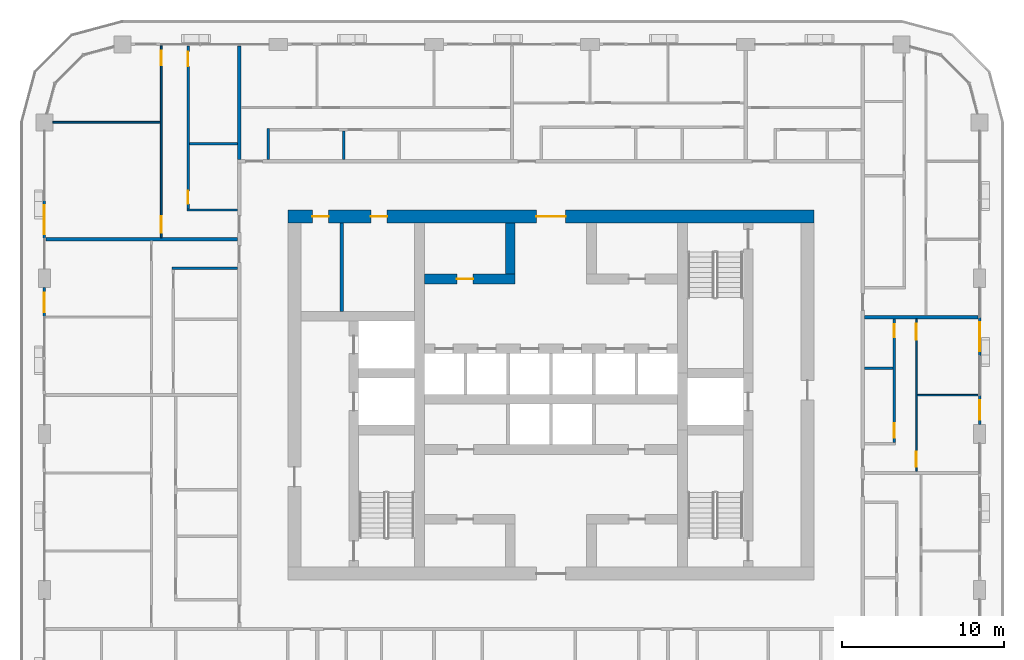
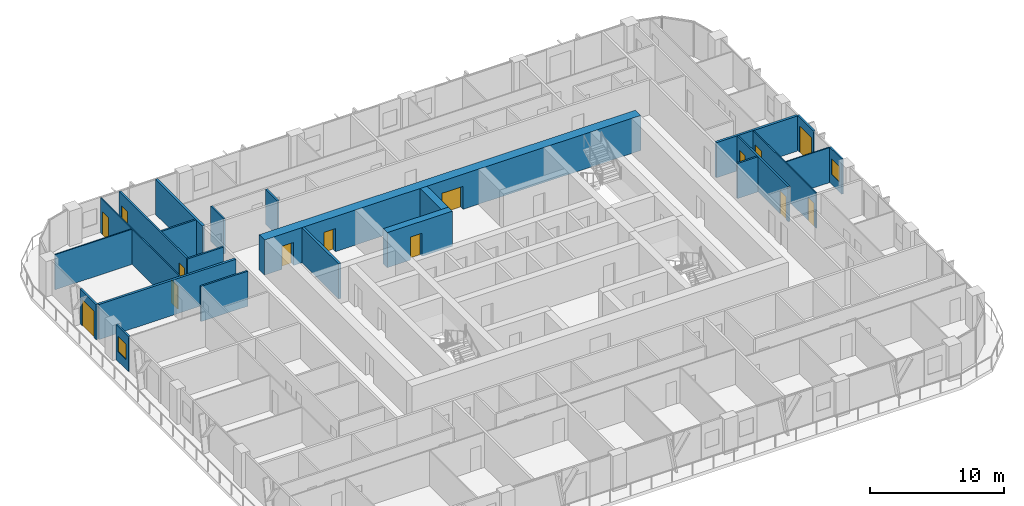
# One storey, part 13 of 22: 23 walls, 14 doors, 2 windows, 16 openings.
"""IFC4 building model written with IfcOpenShell, lengths in metres."""

from ifc_helpers import new_model, si_unit, direction, frame, frame_2d, origin, place, context, subcontext, project, spatial, rectangle, extrude, material, layer, layer_set, type_object, element, fill, save


model = new_model("IFC4")

# Units and contexts
model_context = context("Model", 3, precision=1e-05, world=origin(), true_north=direction((0.0, 1.0)))
body_context = subcontext(model_context, "Body", "Model", "MODEL_VIEW")
ifc_project = project(units=[si_unit("LENGTHUNIT", "METRE"), si_unit("AREAUNIT", "SQUARE_METRE"), si_unit("VOLUMEUNIT", "CUBIC_METRE"), si_unit("PLANEANGLEUNIT", "RADIAN"), si_unit("MASSUNIT", "GRAM", prefix="KILO")], contexts=[model_context])

# Site, building, storey
site_placement = place(None, origin())
site = spatial("IfcSite", under=ifc_project, at=site_placement, CompositionType="ELEMENT")
building_placement = place(site_placement, origin())
building = spatial("IfcBuilding", under=site, at=building_placement, Name="Madar Terraces", CompositionType="ELEMENT")
storey_placement = place(building_placement, frame((0.0, 0.0, 163.0)))
storey = spatial("IfcBuildingStorey", under=building, at=storey_placement, Name="L42", CompositionType="ELEMENT", Elevation=163.0)

# Wall, opening, door
ifc_material_1 = material(Name="Concrete C70/85", Category="concrete")
ifc_layer_1 = layer(ifc_material_1, 0.60009765625)
ifc_layer_set_1 = layer_set([ifc_layer_1], Name="Concrete C70/85 (CIW3 RC wall 600)")
wall_type_1 = type_object("IfcWallType", Name="CIW3 RC wall 600", PredefinedType="SHEAR", material=ifc_layer_set_1)
wall_1_placement = place(storey_placement, frame((23.39990234375, 33.550048828125, 0.0), z_axis=(0.0, 0.0, 1.0), x_axis=(1.0, 0.0, 0.0)))
wall_1 = element("IfcWall", 1, at=wall_1_placement, inside=storey, type_object=wall_type_1, Name="CORE SHAFT WALL", PredefinedType="SHEAR", context=body_context, shape_type="SweptSolid", body=[
    extrude(rectangle(XDim=5.60009765625, YDim=0.60009765625, at=frame_2d((2.800048828125, 0.0))), origin(), (0.0, 0.0, 1.0), 3.199951171875),
])
opening_1_placement = place(wall_1_placement, frame((2.0, 0.0, 0.0)))
opening_1 = element("IfcOpeningElement", 2, at=opening_1_placement, cuts=wall_1, Name="Opening KD2", PredefinedType="OPENING", context=body_context, shape_type="SweptSolid", body=[
    extrude(rectangle(XDim=1.0, YDim=2.10009765625, at=frame_2d((0.5, 1.050048828125))), frame((0.0, 0.31005859375, 0.0), z_axis=(0.0, -1.0, 0.0), x_axis=(1.0, 0.0, 0.0)), (0.0, 0.0, 1.0), 0.6201171875),
])
ifc_material_2 = material(Name="Steel door leaf", Category="steel")
door_type_1 = type_object("IfcDoorType", Name="Service room door 1000 x 2100", OperationType="NOTDEFINED", PredefinedType="DOOR", material=ifc_material_2)
door_1_placement = place(opening_1_placement, frame((1.0, 0.0, 0.0), z_axis=(0.0, 0.0, 1.0), x_axis=(-1.0, 0.0, 0.0)))
door_1 = element("IfcDoor", 3, at=door_1_placement, inside=storey, type_object=door_type_1, Name="SERVICE ROOM DOOR", OperationType="SINGLE_SWING_LEFT", OverallHeight=2.10009765625, OverallWidth=1.0, PredefinedType="DOOR", context=body_context, shape_type="SweptSolid", body=[
    extrude(rectangle(XDim=1.0, YDim=2.10009765625, at=frame_2d((0.5, 1.050048828125))), frame((0.0, 0.02490234375, 0.0), z_axis=(0.0, -1.0, 0.0), x_axis=(1.0, 0.0, 0.0)), (0.0, 0.0, 1.0), 0.050048828125),
])
fill(opening_1, door_1)

# Wall
wall_2_placement = place(storey_placement, frame((28.699951171875, 33.85009765625, 0.0), z_axis=(0.0, 0.0, 1.0), x_axis=(0.0, 1.0, 0.0)))
element("IfcWall", 4, at=wall_2_placement, inside=storey, type_object=wall_type_1, Name="CORE SHAFT WALL", PredefinedType="SHEAR", context=body_context, shape_type="SweptSolid", body=[
    extrude(rectangle(XDim=3.14990234375, YDim=0.60009765625, at=frame_2d((1.574951171875, 0.0))), origin(), (0.0, 0.0, 1.0), 3.199951171875),
])

# Wall, openings, doors
ifc_material_3 = material(Name="Concrete C70/85", Category="concrete")
ifc_layer_2 = layer(ifc_material_3, 0.800048828125)
ifc_layer_set_2 = layer_set([ifc_layer_2], Name="Concrete C70/85 (CRW3 RC wall 800)")
wall_type_2 = type_object("IfcWallType", Name="CRW3 RC wall 800", PredefinedType="SHEAR", material=ifc_layer_set_2)
wall_3_placement = place(storey_placement, frame((15.0, 37.39990234375, 0.0), z_axis=(0.0, 0.0, 1.0), x_axis=(1.0, 0.0, 0.0)))
wall_3 = element("IfcWall", 5, at=wall_3_placement, inside=storey, type_object=wall_type_2, Name="CORE OUTER WALL", PredefinedType="SHEAR", context=body_context, shape_type="SweptSolid", body=[
    extrude(rectangle(XDim=32.39990234375, YDim=0.800048828125, at=frame_2d((16.199951171875, 0.0))), origin(), (0.0, 0.0, 1.0), 3.199951171875),
])
opening_2_placement = place(wall_3_placement, frame((15.300048828125, 0.0, 0.0)))
opening_2 = element("IfcOpeningElement", 6, at=opening_2_placement, cuts=wall_3, Name="Opening KD1", PredefinedType="OPENING", context=body_context, shape_type="SweptSolid", body=[
    extrude(rectangle(XDim=1.800048828125, YDim=2.10009765625, at=frame_2d((0.89990234375, 1.050048828125))), frame((0.0, 0.409912109375, 0.0), z_axis=(0.0, -1.0, 0.0), x_axis=(1.0, 0.0, 0.0)), (0.0, 0.0, 1.0), 0.820068359375),
])
opening_3_placement = place(wall_3_placement, frame((1.510009765625, 0.0, 0.0)))
opening_3 = element("IfcOpeningElement", 7, at=opening_3_placement, cuts=wall_3, Name="Opening KD2", PredefinedType="OPENING", context=body_context, shape_type="SweptSolid", body=[
    extrude(rectangle(XDim=1.0, YDim=2.10009765625, at=frame_2d((0.5, 1.050048828125))), frame((0.0, 0.409912109375, 0.0), z_axis=(0.0, -1.0, 0.0), x_axis=(1.0, 0.0, 0.0)), (0.0, 0.0, 1.0), 0.820068359375),
])
opening_4_placement = place(wall_3_placement, frame((5.110107421875, 0.0, 0.0)))
opening_4 = element("IfcOpeningElement", 8, at=opening_4_placement, cuts=wall_3, Name="Opening KD2", PredefinedType="OPENING", context=body_context, shape_type="SweptSolid", body=[
    extrude(rectangle(XDim=1.0, YDim=2.10009765625, at=frame_2d((0.5, 1.050048828125))), frame((0.0, 0.409912109375, 0.0), z_axis=(0.0, -1.0, 0.0), x_axis=(1.0, 0.0, 0.0)), (0.0, 0.0, 1.0), 0.820068359375),
])
ifc_material_4 = material(Name="Steel door leaf", Category="steel")
door_type_2 = type_object("IfcDoorType", Name="Lobby door pair 1800 x 2100", OperationType="DOUBLE_DOOR_SINGLE_SWING", PredefinedType="DOOR", material=ifc_material_4)
door_2_placement = place(opening_2_placement, origin())
door_2 = element("IfcDoor", 9, at=door_2_placement, inside=storey, type_object=door_type_2, Name="LIFT LOBBY DOOR", OperationType="DOUBLE_DOOR_SINGLE_SWING", OverallHeight=2.10009765625, OverallWidth=1.800048828125, PredefinedType="DOOR", context=body_context, shape_type="SweptSolid", body=[
    extrude(rectangle(XDim=1.800048828125, YDim=2.10009765625, at=frame_2d((0.89990234375, 1.050048828125))), frame((0.0, 0.02490234375, 0.0), z_axis=(0.0, -1.0, 0.0), x_axis=(1.0, 0.0, 0.0)), (0.0, 0.0, 1.0), 0.050048828125),
])
fill(opening_2, door_2)
door_3_placement = place(opening_3_placement, origin())
door_3 = element("IfcDoor", 10, at=door_3_placement, inside=storey, type_object=door_type_1, Name="SERVICE ROOM DOOR", OperationType="SINGLE_SWING_LEFT", OverallHeight=2.10009765625, OverallWidth=1.0, PredefinedType="DOOR", context=body_context, shape_type="SweptSolid", body=[
    extrude(rectangle(XDim=1.0, YDim=2.10009765625, at=frame_2d((0.5, 1.050048828125))), frame((0.0, 0.02490234375, 0.0), z_axis=(0.0, -1.0, 0.0), x_axis=(1.0, 0.0, 0.0)), (0.0, 0.0, 1.0), 0.050048828125),
])
fill(opening_3, door_3)
door_4_placement = place(opening_4_placement, origin())
door_4 = element("IfcDoor", 11, at=door_4_placement, inside=storey, type_object=door_type_1, Name="SERVICE ROOM DOOR", OperationType="SINGLE_SWING_RIGHT", OverallHeight=2.10009765625, OverallWidth=1.0, PredefinedType="DOOR", context=body_context, shape_type="SweptSolid", body=[
    extrude(rectangle(XDim=1.0, YDim=2.10009765625, at=frame_2d((0.5, 1.050048828125))), frame((0.0, 0.02490234375, 0.0), z_axis=(0.0, -1.0, 0.0), x_axis=(1.0, 0.0, 0.0)), (0.0, 0.0, 1.0), 0.050048828125),
])
fill(opening_4, door_4)

# Wall
ifc_material_5 = material(Name="Masonry blockwork", Category="masonry")
ifc_layer_3 = layer(ifc_material_5, 0.199951171875)
ifc_layer_set_3 = layer_set([ifc_layer_3], Name="Core partition 200 blockwork")
wall_type_3 = type_object("IfcWallType", Name="Core partition 200 blockwork", PredefinedType="PARTITIONING", material=ifc_layer_set_3)
wall_4_placement = place(storey_placement, frame((18.320068359375, 31.550048828125, 0.0), z_axis=(0.0, 0.0, 1.0), x_axis=(0.0, 1.0, 0.0)))
element("IfcWall", 12, at=wall_4_placement, inside=storey, type_object=wall_type_3, Name="SERVICE ROOM PARTITION", PredefinedType="PARTITIONING", context=body_context, shape_type="SweptSolid", body=[
    extrude(rectangle(XDim=5.449951171875, YDim=0.199951171875, at=frame_2d((2.72509765625, 0.0))), origin(), (0.0, 0.0, 1.0), 3.199951171875),
])

# Wall, opening, window
ifc_material_6 = material(Name="Aluminium composite panel, black, over insulated backing", Category="aluminium")
ifc_layer_4 = layer(ifc_material_6, 0.14990234375)
ifc_layer_set_4 = layer_set([ifc_layer_4], Name="Facade bay panel 150")
wall_type_4 = type_object("IfcWallType", Name="Facade bay panel 150", PredefinedType="SOLIDWALL", material=ifc_layer_set_4)
wall_5_placement = place(storey_placement, frame((57.60009765625, 24.574951171875, 0.0), z_axis=(0.0, 0.0, 1.0), x_axis=(0.0, 1.0, 0.0)))
wall_5 = element("IfcWall", 13, at=wall_5_placement, inside=storey, type_object=wall_type_4, Name="Facade bay panel", PredefinedType="SOLIDWALL", context=body_context, shape_type="SweptSolid", body=[
    extrude(rectangle(XDim=1.824951171875, YDim=0.14990234375, at=frame_2d((0.91259765625, 0.0))), origin(), (0.0, 0.0, 1.0), 3.199951171875),
])
opening_5_placement = place(wall_5_placement, frame((0.3125, 0.0, 0.89990234375)))
opening_5 = element("IfcOpeningElement", 14, at=opening_5_placement, cuts=wall_5, Name="Opening W1", PredefinedType="OPENING", context=body_context, shape_type="SweptSolid", body=[
    extrude(rectangle(XDim=1.199951171875, YDim=1.39990234375, at=frame_2d((0.60009765625, 0.699951171875))), frame((0.0, 0.0849609375, 0.0), z_axis=(0.0, -1.0, 0.0), x_axis=(1.0, 0.0, 0.0)), (0.0, 0.0, 1.0), 0.169921875),
])
ifc_material_7 = material(Name="Glass, clear, with black aluminium frame", Category="aluminium")
window_type = type_object("IfcWindowType", Name="Vent window 1200 x 1400", PartitioningType="SINGLE_PANEL", PredefinedType="WINDOW", material=ifc_material_7)
window_1_placement = place(opening_5_placement, origin())
window_1 = element("IfcWindow", 15, at=window_1_placement, inside=storey, type_object=window_type, Name="Operable vent window", OverallHeight=1.39990234375, OverallWidth=1.199951171875, PartitioningType="SINGLE_PANEL", PredefinedType="WINDOW", context=body_context, shape_type="SweptSolid", body=[
    extrude(rectangle(XDim=1.199951171875, YDim=1.39990234375, at=frame_2d((0.60009765625, 0.699951171875))), frame((0.0, 0.030029296875, 0.0), z_axis=(0.0, -1.0, 0.0), x_axis=(1.0, 0.0, 0.0)), (0.0, 0.0, 1.0), 0.06005859375),
])
fill(opening_5, window_1)

# Wall, opening, door
wall_6_placement = place(storey_placement, frame((57.60009765625, 28.800048828125, 0.0), z_axis=(0.0, 0.0, 1.0), x_axis=(0.0, 1.0, 0.0)))
wall_6 = element("IfcWall", 16, at=wall_6_placement, inside=storey, type_object=wall_type_4, Name="Facade bay panel", PredefinedType="SOLIDWALL", context=body_context, shape_type="SweptSolid", body=[
    extrude(rectangle(XDim=2.39990234375, YDim=0.14990234375, at=frame_2d((1.199951171875, 0.0))), origin(), (0.0, 0.0, 1.0), 3.199951171875),
])
opening_6_placement = place(wall_6_placement, frame((0.300048828125, 0.0, 0.0)))
opening_6 = element("IfcOpeningElement", 17, at=opening_6_placement, cuts=wall_6, Name="Opening ED1", PredefinedType="OPENING", context=body_context, shape_type="SweptSolid", body=[
    extrude(rectangle(XDim=1.800048828125, YDim=2.39990234375, at=frame_2d((0.89990234375, 1.199951171875))), frame((0.0, 0.0849609375, 0.0), z_axis=(0.0, -1.0, 0.0), x_axis=(1.0, 0.0, 0.0)), (0.0, 0.0, 1.0), 0.169921875),
])
ifc_material_8 = material(Name="Glass, clear, with black aluminium frame", Category="aluminium")
door_type_3 = type_object("IfcDoorType", Name="Balcony and terrace sliding door 1800 x 2400", OperationType="SLIDING_TO_LEFT", PredefinedType="DOOR", material=ifc_material_8)
door_5_placement = place(opening_6_placement, origin())
door_5 = element("IfcDoor", 18, at=door_5_placement, inside=storey, type_object=door_type_3, Name="Balcony door", OperationType="SLIDING_TO_RIGHT", OverallHeight=2.39990234375, OverallWidth=1.800048828125, PredefinedType="DOOR", context=body_context, shape_type="SweptSolid", body=[
    extrude(rectangle(XDim=1.800048828125, YDim=2.39990234375, at=frame_2d((0.89990234375, 1.199951171875))), frame((0.0, 0.02490234375, 0.0), z_axis=(0.0, -1.0, 0.0), x_axis=(1.0, 0.0, 0.0)), (0.0, 0.0, 1.0), 0.050048828125),
])
fill(opening_6, door_5)

wall_7_placement = place(storey_placement, frame((0.0, 38.39990234375, 0.0), z_axis=(0.0, 0.0, 1.0), x_axis=(0.0, -1.0, 0.0)))
wall_7 = element("IfcWall", 19, at=wall_7_placement, inside=storey, type_object=wall_type_4, Name="Facade bay panel", PredefinedType="SOLIDWALL", context=body_context, shape_type="SweptSolid", body=[
    extrude(rectangle(XDim=2.39990234375, YDim=0.14990234375, at=frame_2d((1.199951171875, 0.0))), origin(), (0.0, 0.0, 1.0), 3.199951171875),
])
opening_7_placement = place(wall_7_placement, frame((0.300048828125, 0.0, 0.0)))
opening_7 = element("IfcOpeningElement", 20, at=opening_7_placement, cuts=wall_7, Name="Opening ED1", PredefinedType="OPENING", context=body_context, shape_type="SweptSolid", body=[
    extrude(rectangle(XDim=1.800048828125, YDim=2.39990234375, at=frame_2d((0.89990234375, 1.199951171875))), frame((0.0, 0.0849609375, 0.0), z_axis=(0.0, -1.0, 0.0), x_axis=(1.0, 0.0, 0.0)), (0.0, 0.0, 1.0), 0.169921875),
])
door_6_placement = place(opening_7_placement, origin())
door_6 = element("IfcDoor", 21, at=door_6_placement, inside=storey, type_object=door_type_3, Name="Balcony door", OperationType="SLIDING_TO_LEFT", OverallHeight=2.39990234375, OverallWidth=1.800048828125, PredefinedType="DOOR", context=body_context, shape_type="SweptSolid", body=[
    extrude(rectangle(XDim=1.800048828125, YDim=2.39990234375, at=frame_2d((0.89990234375, 1.199951171875))), frame((0.0, 0.02490234375, 0.0), z_axis=(0.0, -1.0, 0.0), x_axis=(1.0, 0.0, 0.0)), (0.0, 0.0, 1.0), 0.050048828125),
])
fill(opening_7, door_6)

# Wall, opening, window
wall_8_placement = place(storey_placement, frame((0.0, 33.02490234375, 0.0), z_axis=(0.0, 0.0, 1.0), x_axis=(0.0, -1.0, 0.0)))
wall_8 = element("IfcWall", 22, at=wall_8_placement, inside=storey, type_object=wall_type_4, Name="Facade bay panel", PredefinedType="SOLIDWALL", context=body_context, shape_type="SweptSolid", body=[
    extrude(rectangle(XDim=1.824951171875, YDim=0.14990234375, at=frame_2d((0.91259765625, 0.0))), origin(), (0.0, 0.0, 1.0), 3.199951171875),
])
opening_8_placement = place(wall_8_placement, frame((0.3125, 0.0, 0.89990234375)))
opening_8 = element("IfcOpeningElement", 23, at=opening_8_placement, cuts=wall_8, Name="Opening W1", PredefinedType="OPENING", context=body_context, shape_type="SweptSolid", body=[
    extrude(rectangle(XDim=1.199951171875, YDim=1.39990234375, at=frame_2d((0.60009765625, 0.699951171875))), frame((0.0, 0.0849609375, 0.0), z_axis=(0.0, -1.0, 0.0), x_axis=(1.0, 0.0, 0.0)), (0.0, 0.0, 1.0), 0.169921875),
])
window_2_placement = place(opening_8_placement, origin())
window_2 = element("IfcWindow", 24, at=window_2_placement, inside=storey, type_object=window_type, Name="Operable vent window", OverallHeight=1.39990234375, OverallWidth=1.199951171875, PartitioningType="SINGLE_PANEL", PredefinedType="WINDOW", context=body_context, shape_type="SweptSolid", body=[
    extrude(rectangle(XDim=1.199951171875, YDim=1.39990234375, at=frame_2d((0.60009765625, 0.699951171875))), frame((0.0, 0.030029296875, 0.0), z_axis=(0.0, -1.0, 0.0), x_axis=(1.0, 0.0, 0.0)), (0.0, 0.0, 1.0), 0.06005859375),
])
fill(opening_8, window_2)

# Wall
ifc_material_9 = material(Name="Gypsum board on steel studs", Category="steel")
ifc_layer_5 = layer(ifc_material_9, 0.10009765625)
ifc_layer_set_5 = layer_set([ifc_layer_5], Name="Flat partition 100")
wall_type_5 = type_object("IfcWallType", Name="Flat partition 100", PredefinedType="PARTITIONING", material=ifc_layer_set_5)
wall_9_placement = place(storey_placement, frame((53.75, 26.39990234375, 0.0), z_axis=(0.0, 0.0, 1.0), x_axis=(1.0, 0.0, 0.0)))
element("IfcWall", 25, at=wall_9_placement, inside=storey, type_object=wall_type_5, Name="Flat partition 100", PredefinedType="PARTITIONING", context=body_context, shape_type="SweptSolid", body=[
    extrude(rectangle(XDim=3.75, YDim=0.10009765625, at=frame_2d((1.875, 0.0))), origin(), (0.0, 0.0, 1.0), 3.199951171875),
])

# Wall, openings, doors
wall_10_placement = place(storey_placement, frame((53.699951171875, 31.10009765625, 0.0), z_axis=(0.0, 0.0, 1.0), x_axis=(0.0, -1.0, 0.0)))
wall_10 = element("IfcWall", 26, at=wall_10_placement, inside=storey, type_object=wall_type_5, Name="Flat partition 100", PredefinedType="PARTITIONING", context=body_context, shape_type="SweptSolid", body=[
    extrude(rectangle(XDim=9.400146484375, YDim=0.10009765625, at=frame_2d((4.7001953125, 0.0))), origin(), (0.0, 0.0, 1.0), 3.199951171875),
])
opening_9_placement = place(wall_10_placement, frame((8.199951171875, 0.0, 0.0)))
opening_9 = element("IfcOpeningElement", 27, at=opening_9_placement, cuts=wall_10, Name="Opening D2", PredefinedType="OPENING", context=body_context, shape_type="SweptSolid", body=[
    extrude(rectangle(XDim=0.89990234375, YDim=2.10009765625, at=frame_2d((0.449951171875, 1.050048828125))), frame((0.0, 0.06005859375, 0.0), z_axis=(0.0, -1.0, 0.0), x_axis=(1.0, 0.0, 0.0)), (0.0, 0.0, 1.0), 0.1201171875),
])
opening_10_placement = place(wall_10_placement, frame((0.300048828125, 0.0, 0.0)))
opening_10 = element("IfcOpeningElement", 28, at=opening_10_placement, cuts=wall_10, Name="Opening D3", PredefinedType="OPENING", context=body_context, shape_type="SweptSolid", body=[
    extrude(rectangle(XDim=1.0, YDim=2.10009765625, at=frame_2d((0.5, 1.050048828125))), frame((0.0, 0.06005859375, 0.0), z_axis=(0.0, -1.0, 0.0), x_axis=(1.0, 0.0, 0.0)), (0.0, 0.0, 1.0), 0.1201171875),
])
ifc_material_10 = material(Name="Timber door leaf", Category="wood")
door_type_4 = type_object("IfcDoorType", Name="Flat living room door 1000", OperationType="NOTDEFINED", PredefinedType="DOOR", material=ifc_material_10)
door_7_placement = place(opening_10_placement, origin())
door_7 = element("IfcDoor", 29, at=door_7_placement, inside=storey, type_object=door_type_4, Name="Flat living room door 1000", OperationType="SINGLE_SWING_LEFT", OverallHeight=2.10009765625, OverallWidth=1.0, PredefinedType="DOOR", context=body_context, shape_type="SweptSolid", body=[
    extrude(rectangle(XDim=1.0, YDim=2.10009765625, at=frame_2d((0.5, 1.050048828125))), frame((0.0, 0.02490234375, 0.0), z_axis=(0.0, -1.0, 0.0), x_axis=(1.0, 0.0, 0.0)), (0.0, 0.0, 1.0), 0.050048828125),
])
fill(opening_10, door_7)
ifc_material_11 = material(Name="Timber door leaf", Category="wood")
door_type_5 = type_object("IfcDoorType", Name="Flat room door 900", OperationType="NOTDEFINED", PredefinedType="DOOR", material=ifc_material_11)
door_8_placement = place(opening_9_placement, origin())
door_8 = element("IfcDoor", 30, at=door_8_placement, inside=storey, type_object=door_type_5, Name="Flat room door 900", OperationType="SINGLE_SWING_RIGHT", OverallHeight=2.10009765625, OverallWidth=0.89990234375, PredefinedType="DOOR", context=body_context, shape_type="SweptSolid", body=[
    extrude(rectangle(XDim=0.89990234375, YDim=2.10009765625, at=frame_2d((0.449951171875, 1.050048828125))), frame((0.0, 0.02490234375, 0.0), z_axis=(0.0, -1.0, 0.0), x_axis=(1.0, 0.0, 0.0)), (0.0, 0.0, 1.0), 0.050048828125),
])
fill(opening_9, door_8)

# Wall
wall_11_placement = place(storey_placement, frame((7.14990234375, 43.199951171875, 0.0), z_axis=(0.0, 0.0, 1.0), x_axis=(-1.0, 0.0, 0.0)))
element("IfcWall", 31, at=wall_11_placement, inside=storey, type_object=wall_type_5, Name="Flat partition 100", PredefinedType="PARTITIONING", context=body_context, shape_type="SweptSolid", body=[
    extrude(rectangle(XDim=6.625, YDim=0.10009765625, at=frame_2d((3.3125, 0.0))), origin(), (0.0, 0.0, 1.0), 3.199951171875),
])

# Wall, openings, doors
wall_12_placement = place(storey_placement, frame((7.199951171875, 36.10009765625, 0.0), z_axis=(0.0, 0.0, 1.0), x_axis=(0.0, 1.0, 0.0)))
wall_12 = element("IfcWall", 32, at=wall_12_placement, inside=storey, type_object=wall_type_5, Name="Flat partition 100", PredefinedType="PARTITIONING", context=body_context, shape_type="SweptSolid", body=[
    extrude(rectangle(XDim=11.7998046875, YDim=0.10009765625, at=frame_2d((5.89990234375, 0.0))), origin(), (0.0, 0.0, 1.0), 3.199951171875),
])
opening_11_placement = place(wall_12_placement, frame((0.300048828125, 0.0, 0.0)))
opening_11 = element("IfcOpeningElement", 33, at=opening_11_placement, cuts=wall_12, Name="Opening D3", PredefinedType="OPENING", context=body_context, shape_type="SweptSolid", body=[
    extrude(rectangle(XDim=1.0, YDim=2.10009765625, at=frame_2d((0.5, 1.050048828125))), frame((0.0, 0.06005859375, 0.0), z_axis=(0.0, -1.0, 0.0), x_axis=(1.0, 0.0, 0.0)), (0.0, 0.0, 1.0), 0.1201171875),
])
opening_12_placement = place(wall_12_placement, frame((10.60009765625, 0.0, 0.0)))
opening_12 = element("IfcOpeningElement", 34, at=opening_12_placement, cuts=wall_12, Name="Opening D2", PredefinedType="OPENING", context=body_context, shape_type="SweptSolid", body=[
    extrude(rectangle(XDim=0.89990234375, YDim=2.10009765625, at=frame_2d((0.449951171875, 1.050048828125))), frame((0.0, 0.06005859375, 0.0), z_axis=(0.0, -1.0, 0.0), x_axis=(1.0, 0.0, 0.0)), (0.0, 0.0, 1.0), 0.1201171875),
])
door_9_placement = place(opening_11_placement, origin())
door_9 = element("IfcDoor", 35, at=door_9_placement, inside=storey, type_object=door_type_4, Name="Flat living room door 1000", OperationType="SINGLE_SWING_LEFT", OverallHeight=2.10009765625, OverallWidth=1.0, PredefinedType="DOOR", context=body_context, shape_type="SweptSolid", body=[
    extrude(rectangle(XDim=1.0, YDim=2.10009765625, at=frame_2d((0.5, 1.050048828125))), frame((0.0, 0.02490234375, 0.0), z_axis=(0.0, -1.0, 0.0), x_axis=(1.0, 0.0, 0.0)), (0.0, 0.0, 1.0), 0.050048828125),
])
fill(opening_11, door_9)
door_10_placement = place(opening_12_placement, origin())
door_10 = element("IfcDoor", 36, at=door_10_placement, inside=storey, type_object=door_type_5, Name="Flat room door 900", OperationType="SINGLE_SWING_RIGHT", OverallHeight=2.10009765625, OverallWidth=0.89990234375, PredefinedType="DOOR", context=body_context, shape_type="SweptSolid", body=[
    extrude(rectangle(XDim=0.89990234375, YDim=2.10009765625, at=frame_2d((0.449951171875, 1.050048828125))), frame((0.0, 0.02490234375, 0.0), z_axis=(0.0, -1.0, 0.0), x_axis=(1.0, 0.0, 0.0)), (0.0, 0.0, 1.0), 0.050048828125),
])
fill(opening_12, door_10)

# Walls
ifc_material_12 = material(Name="Lightweight blockwork", Category="masonry")
ifc_layer_6 = layer(ifc_material_12, 0.199951171875)
ifc_layer_set_6 = layer_set([ifc_layer_6], Name="Flat party and entrance wall 200")
wall_type_6 = type_object("IfcWallType", Name="Flat party and entrance wall 200", PredefinedType="PARTITIONING", material=ifc_layer_set_6)
for number, where, z_axis, x_axis, name in (
    (37, (50.5, 31.199951171875, 0.0), (0.0, 0.0, 1.0), (1.0, 0.0, 0.0), "Flat party and entrance wall 200"),
    (38, (12.0, 47.89990234375, 0.0), (0.0, 0.0, 1.0), (0.0, -1.0, 0.0), "Flat party and entrance wall 200"),
):
    element("IfcWall", number, at=place(storey_placement, frame(where, z_axis=z_axis, x_axis=x_axis)), inside=storey, type_object=wall_type_6, Name=name, PredefinedType="PARTITIONING", context=body_context, shape_type="SweptSolid", body=[
        extrude(rectangle(XDim=7.0, YDim=0.199951171875, at=frame_2d((3.5, 0.0))), origin(), (0.0, 0.0, 1.0), 3.199951171875),
    ])
wall_13_placement = place(storey_placement, frame((0.10009765625, 36.0, 0.0), z_axis=(0.0, 0.0, 1.0), x_axis=(1.0, 0.0, 0.0)))
element("IfcWall", 39, at=wall_13_placement, inside=storey, type_object=wall_type_6, Name="Flat party and entrance wall 200", PredefinedType="PARTITIONING", context=body_context, shape_type="SweptSolid", body=[
    extrude(rectangle(XDim=11.7998046875, YDim=0.199951171875, at=frame_2d((5.89990234375, 0.0))), origin(), (0.0, 0.0, 1.0), 3.199951171875),
])
ifc_material_13 = material(Name="Lightweight blockwork", Category="masonry")
ifc_layer_7 = layer(ifc_material_13, 0.14990234375)
ifc_layer_set_7 = layer_set([ifc_layer_7], Name="Flat wet-room partition 150")
wall_type_7 = type_object("IfcWallType", Name="Flat wet-room partition 150", PredefinedType="PARTITIONING", material=ifc_layer_set_7)
wall_14_placement = place(storey_placement, frame((50.5, 28.050048828125, 0.0), z_axis=(0.0, 0.0, 1.0), x_axis=(1.0, 0.0, 0.0)))
element("IfcWall", 40, at=wall_14_placement, inside=storey, type_object=wall_type_7, Name="Flat wet-room partition 150", PredefinedType="PARTITIONING", context=body_context, shape_type="SweptSolid", body=[
    extrude(rectangle(XDim=1.77490234375, YDim=0.14990234375, at=frame_2d((0.887451171875, 0.0))), origin(), (0.0, 0.0, 1.0), 3.199951171875),
])

# Wall, openings, doors
wall_15_placement = place(storey_placement, frame((52.35009765625, 23.47509765625, 0.0), z_axis=(0.0, 0.0, 1.0), x_axis=(0.0, 1.0, 0.0)))
wall_15 = element("IfcWall", 41, at=wall_15_placement, inside=storey, type_object=wall_type_7, Name="Flat wet-room partition 150", PredefinedType="PARTITIONING", context=body_context, shape_type="SweptSolid", body=[
    extrude(rectangle(XDim=7.625, YDim=0.14990234375, at=frame_2d((3.8125, 0.0))), origin(), (0.0, 0.0, 1.0), 3.199951171875),
])
opening_13_placement = place(wall_15_placement, frame((0.300048828125, 0.0, 0.0)))
opening_13 = element("IfcOpeningElement", 42, at=opening_13_placement, cuts=wall_15, Name="Opening D2", PredefinedType="OPENING", context=body_context, shape_type="SweptSolid", body=[
    extrude(rectangle(XDim=0.89990234375, YDim=2.10009765625, at=frame_2d((0.449951171875, 1.050048828125))), frame((0.0, 0.0849609375, 0.0), z_axis=(0.0, -1.0, 0.0), x_axis=(1.0, 0.0, 0.0)), (0.0, 0.0, 1.0), 0.169921875),
])
opening_14_placement = place(wall_15_placement, frame((6.47509765625, 0.0, 0.0)))
opening_14 = element("IfcOpeningElement", 43, at=opening_14_placement, cuts=wall_15, Name="Opening D4", PredefinedType="OPENING", context=body_context, shape_type="SweptSolid", body=[
    extrude(rectangle(XDim=0.800048828125, YDim=2.10009765625, at=frame_2d((0.39990234375, 1.050048828125))), frame((0.0, 0.0849609375, 0.0), z_axis=(0.0, -1.0, 0.0), x_axis=(1.0, 0.0, 0.0)), (0.0, 0.0, 1.0), 0.169921875),
])
ifc_material_14 = material(Name="Timber door leaf", Category="wood")
door_type_6 = type_object("IfcDoorType", Name="Flat bathroom door 800", OperationType="NOTDEFINED", PredefinedType="DOOR", material=ifc_material_14)
door_11_placement = place(opening_14_placement, origin())
door_11 = element("IfcDoor", 44, at=door_11_placement, inside=storey, type_object=door_type_6, Name="Flat bathroom door 800", OperationType="SINGLE_SWING_RIGHT", OverallHeight=2.10009765625, OverallWidth=0.800048828125, PredefinedType="DOOR", context=body_context, shape_type="SweptSolid", body=[
    extrude(rectangle(XDim=0.800048828125, YDim=2.10009765625, at=frame_2d((0.39990234375, 1.050048828125))), frame((0.0, 0.02490234375, 0.0), z_axis=(0.0, -1.0, 0.0), x_axis=(1.0, 0.0, 0.0)), (0.0, 0.0, 1.0), 0.050048828125),
])
fill(opening_14, door_11)
door_12_placement = place(opening_13_placement, origin())
door_12 = element("IfcDoor", 45, at=door_12_placement, inside=storey, type_object=door_type_5, Name="Flat room door 900", OperationType="SINGLE_SWING_LEFT", OverallHeight=2.10009765625, OverallWidth=0.89990234375, PredefinedType="DOOR", context=body_context, shape_type="SweptSolid", body=[
    extrude(rectangle(XDim=0.89990234375, YDim=2.10009765625, at=frame_2d((0.449951171875, 1.050048828125))), frame((0.0, 0.02490234375, 0.0), z_axis=(0.0, -1.0, 0.0), x_axis=(1.0, 0.0, 0.0)), (0.0, 0.0, 1.0), 0.050048828125),
])
fill(opening_13, door_12)

# Walls
wall_16_placement = place(storey_placement, frame((18.4365234375, 40.89990234375, 0.0), z_axis=(0.0, 0.0, 1.0), x_axis=(0.0, 1.0, 0.0)))
element("IfcWall", 46, at=wall_16_placement, inside=storey, type_object=wall_type_7, Name="Flat wet-room partition 150", PredefinedType="PARTITIONING", context=body_context, shape_type="SweptSolid", body=[
    extrude(rectangle(XDim=1.775146484375, YDim=0.14990234375, at=frame_2d((0.8876953125, 0.0))), origin(), (0.0, 0.0, 1.0), 3.199951171875),
])
wall_17_placement = place(storey_placement, frame((13.800048828125, 40.89990234375, 0.0), z_axis=(0.0, 0.0, 1.0), x_axis=(0.0, 1.0, 0.0)))
element("IfcWall", 47, at=wall_17_placement, inside=storey, type_object=wall_type_7, Name="Flat wet-room partition 150", PredefinedType="PARTITIONING", context=body_context, shape_type="SweptSolid", body=[
    extrude(rectangle(XDim=1.925048828125, YDim=0.14990234375, at=frame_2d((0.96240234375, 0.0))), origin(), (0.0, 0.0, 1.0), 3.199951171875),
])
wall_18_placement = place(storey_placement, frame((11.89990234375, 41.885009765625, 0.0), z_axis=(0.0, 0.0, 1.0), x_axis=(-1.0, 0.0, 0.0)))
element("IfcWall", 48, at=wall_18_placement, inside=storey, type_object=wall_type_7, Name="Flat wet-room partition 150", PredefinedType="PARTITIONING", context=body_context, shape_type="SweptSolid", body=[
    extrude(rectangle(XDim=2.974853515625, YDim=0.14990234375, at=frame_2d((1.4873046875, 0.0))), origin(), (0.0, 0.0, 1.0), 3.199951171875),
])
wall_19_placement = place(storey_placement, frame((11.89990234375, 37.800048828125, 0.0), z_axis=(0.0, 0.0, 1.0), x_axis=(-1.0, 0.0, 0.0)))
element("IfcWall", 49, at=wall_19_placement, inside=storey, type_object=wall_type_7, Name="Flat wet-room partition 150", PredefinedType="PARTITIONING", context=body_context, shape_type="SweptSolid", body=[
    extrude(rectangle(XDim=3.125, YDim=0.14990234375, at=frame_2d((1.5625, 0.0))), origin(), (0.0, 0.0, 1.0), 3.199951171875),
])

# Wall, openings, doors
wall_20_placement = place(storey_placement, frame((8.85009765625, 47.89990234375, 0.0), z_axis=(0.0, 0.0, 1.0), x_axis=(0.0, -1.0, 0.0)))
wall_20 = element("IfcWall", 50, at=wall_20_placement, inside=storey, type_object=wall_type_7, Name="Flat wet-room partition 150", PredefinedType="PARTITIONING", context=body_context, shape_type="SweptSolid", body=[
    extrude(rectangle(XDim=10.02490234375, YDim=0.14990234375, at=frame_2d((5.012451171875, 0.0))), origin(), (0.0, 0.0, 1.0), 3.199951171875),
])
opening_15_placement = place(wall_20_placement, frame((8.925048828125, 0.0, 0.0)))
opening_15 = element("IfcOpeningElement", 51, at=opening_15_placement, cuts=wall_20, Name="Opening D4", PredefinedType="OPENING", context=body_context, shape_type="SweptSolid", body=[
    extrude(rectangle(XDim=0.800048828125, YDim=2.10009765625, at=frame_2d((0.39990234375, 1.050048828125))), frame((0.0, 0.0849609375, 0.0), z_axis=(0.0, -1.0, 0.0), x_axis=(1.0, 0.0, 0.0)), (0.0, 0.0, 1.0), 0.169921875),
])
opening_16_placement = place(wall_20_placement, frame((0.35009765625, 0.0, 0.0)))
opening_16 = element("IfcOpeningElement", 52, at=opening_16_placement, cuts=wall_20, Name="Opening D2", PredefinedType="OPENING", context=body_context, shape_type="SweptSolid", body=[
    extrude(rectangle(XDim=0.89990234375, YDim=2.10009765625, at=frame_2d((0.449951171875, 1.050048828125))), frame((0.0, 0.0849609375, 0.0), z_axis=(0.0, -1.0, 0.0), x_axis=(1.0, 0.0, 0.0)), (0.0, 0.0, 1.0), 0.169921875),
])
door_13_placement = place(opening_15_placement, origin())
door_13 = element("IfcDoor", 53, at=door_13_placement, inside=storey, type_object=door_type_6, Name="Flat bathroom door 800", OperationType="SINGLE_SWING_RIGHT", OverallHeight=2.10009765625, OverallWidth=0.800048828125, PredefinedType="DOOR", context=body_context, shape_type="SweptSolid", body=[
    extrude(rectangle(XDim=0.800048828125, YDim=2.10009765625, at=frame_2d((0.39990234375, 1.050048828125))), frame((0.0, 0.02490234375, 0.0), z_axis=(0.0, -1.0, 0.0), x_axis=(1.0, 0.0, 0.0)), (0.0, 0.0, 1.0), 0.050048828125),
])
fill(opening_15, door_13)
door_14_placement = place(opening_16_placement, origin())
door_14 = element("IfcDoor", 54, at=door_14_placement, inside=storey, type_object=door_type_5, Name="Flat room door 900", OperationType="SINGLE_SWING_LEFT", OverallHeight=2.10009765625, OverallWidth=0.89990234375, PredefinedType="DOOR", context=body_context, shape_type="SweptSolid", body=[
    extrude(rectangle(XDim=0.89990234375, YDim=2.10009765625, at=frame_2d((0.449951171875, 1.050048828125))), frame((0.0, 0.02490234375, 0.0), z_axis=(0.0, -1.0, 0.0), x_axis=(1.0, 0.0, 0.0)), (0.0, 0.0, 1.0), 0.050048828125),
])
fill(opening_16, door_14)

# Wall
wall_21_placement = place(storey_placement, frame((11.89990234375, 34.199951171875, 0.0), z_axis=(0.0, 0.0, 1.0), x_axis=(-1.0, 0.0, 0.0)))
element("IfcWall", 55, at=wall_21_placement, inside=storey, type_object=wall_type_7, Name="Flat wet-room partition 150", PredefinedType="PARTITIONING", context=body_context, shape_type="SweptSolid", body=[
    extrude(rectangle(XDim=4.02490234375, YDim=0.14990234375, at=frame_2d((2.012451171875, 0.0))), origin(), (0.0, 0.0, 1.0), 3.199951171875),
])

save(model, "model.ifc")
